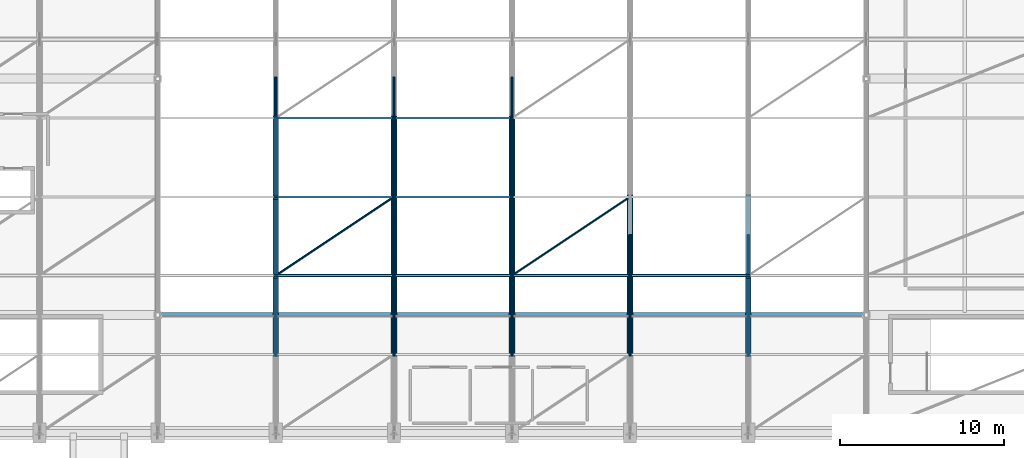
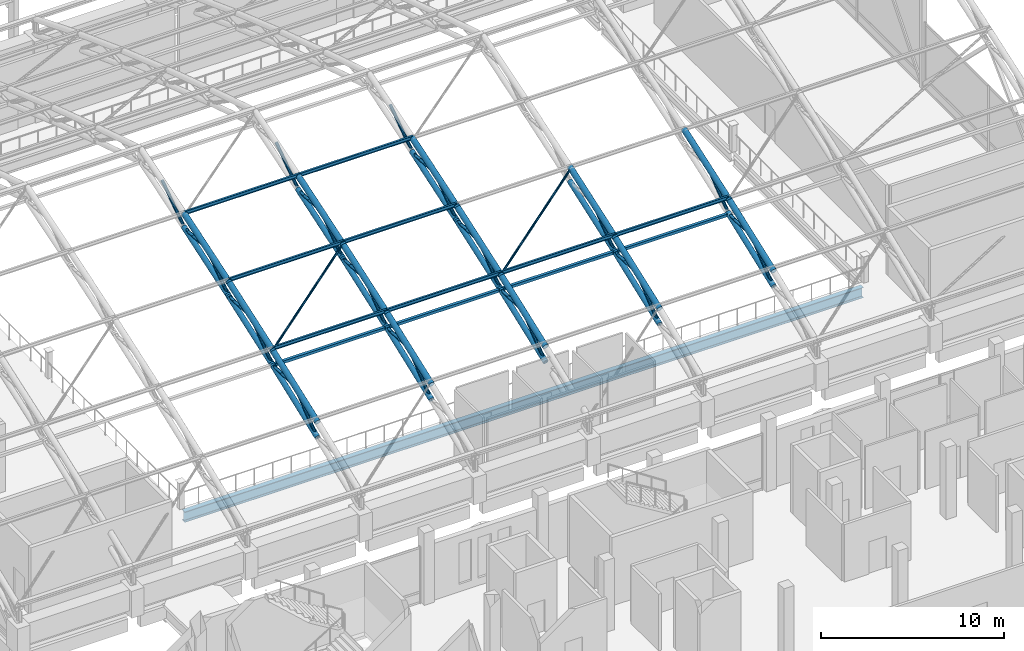
# One storey, part 36 of 116: 66 members, 1 beam.
"""IFC4 building model written with IfcOpenShell, lengths in metres."""

from ifc_helpers import new_model, si_unit, direction, frame, origin, origin_2d, place, context, subcontext, project, spatial, hollow_rectangle, hollow_circle, i_section, extrude, material, material_profile, profile_set, type_object, element, save


model = new_model("IFC4")

# Units and contexts
model_context = context("Model", 3, precision=1e-05, world=origin(), true_north=direction((0.0, 1.0)))
body_context = subcontext(model_context, "Body", "Model", "MODEL_VIEW")
ifc_project = project(units=[si_unit("LENGTHUNIT", "METRE"), si_unit("AREAUNIT", "SQUARE_METRE"), si_unit("VOLUMEUNIT", "CUBIC_METRE"), si_unit("PLANEANGLEUNIT", "RADIAN"), si_unit("MASSUNIT", "GRAM", prefix="KILO")], contexts=[model_context])

# Site, building, storey
site_placement = place(None, origin())
site = spatial("IfcSite", under=ifc_project, at=site_placement, CompositionType="ELEMENT")
building_placement = place(site_placement, origin())
building = spatial("IfcBuilding", under=site, at=building_placement, Name="Cendralis Lancet Convention Centre", CompositionType="ELEMENT")
storey_placement = place(building_placement, frame((0.0, 0.0, 15.0)))
storey = spatial("IfcBuildingStorey", under=building, at=storey_placement, Name="L03", CompositionType="ELEMENT", Elevation=15.0)

# Beam
ifc_material = material(Name="Steel S355", Category="steel")
ifc_material_profile_1 = material_profile(ifc_material, i_section(OverallWidth=0.300048828125, OverallDepth=0.699951171875, WebThickness=0.01708984375, FlangeThickness=0.031982421875, FilletRadius=0.027099609375, at=origin_2d()), Name="HEB 700")
ifc_profile_set_1 = profile_set([ifc_material_profile_1], Name="Steel S355")
beam_type = type_object("IfcBeamType", Name="STR-BM-SG07", PredefinedType="BEAM", material=ifc_profile_set_1)
beam_placement = place(storey_placement, frame((153.77490234375, 50.39990234375, -0.610107421875), z_axis=(1.0, 0.0, 0.0), x_axis=(0.0, 1.0, 0.0)))
element("IfcBeam", 1, at=beam_placement, inside=storey, type_object=beam_type, Name="L03 Beam SG07 #1523", PredefinedType="BEAM", context=body_context, shape_type="SweptSolid", body=[
    extrude(i_section(OverallWidth=0.300048828125, OverallDepth=0.699951171875, WebThickness=0.01708984375, FlangeThickness=0.031982421875, FilletRadius=0.027099609375, at=origin_2d()), origin(), (0.0, 0.0, 1.0), 42.85009765625),
])

# Members
ifc_material_profile_2 = material_profile(ifc_material, hollow_circle(Radius=0.06982421875, WallThickness=0.00634765625, at=origin_2d()), Name="CHS 139.7x6.3")
ifc_profile_set_2 = profile_set([ifc_material_profile_2], Name="Steel S355")
member_type_1 = type_object("IfcMemberType", Name="STR-BR-RB02", PredefinedType="BRACE", material=ifc_profile_set_2)
for number, where, z_axis, x_axis, name in (
    (2, (160.800048828125, 52.800048828125, 6.538818359375), (0.817079386858, 0.544728826592, 0.188816792291), (-0.554706707029, 0.832045953765, 0.0), "Roof Diaphragm Brace RB02 V2-03-02A"),
    (3, (175.199951171875, 52.800048828125, 6.538818359375), (0.817079386858, 0.544728826592, 0.188816792291), (-0.554706707029, 0.832045953765, 0.0), "Roof Diaphragm Brace RB02 V2-05-02A"),
):
    element("IfcMember", number, at=place(storey_placement, frame(where, z_axis=z_axis, x_axis=x_axis)), inside=storey, type_object=member_type_1, Name=name, PredefinedType="BRACE", context=body_context, shape_type="SweptSolid", body=[
        extrude(hollow_circle(Radius=0.06982421875, WallThickness=0.00634765625, at=origin_2d()), origin(), (0.0, 0.0, 1.0), 8.811767578125),
    ])
ifc_material_profile_3 = material_profile(ifc_material, hollow_rectangle(XDim=0.179931640625, YDim=0.179931640625, WallThickness=0.010009765625, at=origin_2d()), Name="SHS 180x180x10.0")
ifc_profile_set_3 = profile_set([ifc_material_profile_3], Name="Steel S355")
member_type_2 = type_object("IfcMemberType", Name="STR-BR-ST02", PredefinedType="STRUT", material=ifc_profile_set_3)
for number, where, z_axis, x_axis, name in (
    (4, (160.800048828125, 52.800048828125, 5.555908203125), (1.0, 0.0, 0.0), (0.0, 1.0, 0.0), "Arch Tie Strut ST02 V2-03-02"),
    (5, (168.0, 52.800048828125, 5.555908203125), (1.0, 0.0, 0.0), (0.0, 1.0, 0.0), "Arch Tie Strut ST02 V2-04-02"),
    (6, (175.199951171875, 52.800048828125, 5.555908203125), (1.0, 0.0, 0.0), (0.0, 1.0, 0.0), "Arch Tie Strut ST02 V2-05-02"),
):
    element("IfcMember", number, at=place(storey_placement, frame(where, z_axis=z_axis, x_axis=x_axis)), inside=storey, type_object=member_type_2, Name=name, PredefinedType="STRUT", context=body_context, shape_type="SweptSolid", body=[
        extrude(hollow_rectangle(XDim=0.179931640625, YDim=0.179931640625, WallThickness=0.010009765625, at=origin_2d()), origin(), (0.0, 0.0, 1.0), 7.199951171875),
    ])
member_1_placement = place(storey_placement, frame((182.39990234375, 52.800048828125, 5.555908203125), z_axis=(1.0, 0.0, 0.0), x_axis=(0.0, 1.0, 0.0)))
element("IfcMember", 7, at=member_1_placement, inside=storey, type_object=member_type_2, Name="Arch Tie Strut ST02 V2-06-02", PredefinedType="STRUT", context=body_context, shape_type="SweptSolid", body=[
    extrude(hollow_rectangle(XDim=0.179931640625, YDim=0.179931640625, WallThickness=0.010009765625, at=origin_2d()), origin(), (0.0, 0.0, 1.0), 7.2001953125),
])
ifc_material_profile_4 = material_profile(ifc_material, i_section(OverallWidth=0.1201171875, OverallDepth=0.239990234375, WebThickness=0.006103515625, FlangeThickness=0.009765625, FilletRadius=0.014892578125, at=origin_2d()), Name="IPE 240")
ifc_profile_set_4 = profile_set([ifc_material_profile_4], Name="Steel S355")
member_type_3 = type_object("IfcMemberType", Name="STR-PR-PR02", PredefinedType="PURLIN", material=ifc_profile_set_4)
for number, where, z_axis, x_axis, name in (
    (8, (160.800048828125, 52.800048828125, 6.668701171875), (1.0, 0.0, 0.0), (0.0, 1.0, 0.0), "Vault Roof Purlin PR02 V2-03-02"),
    (9, (160.800048828125, 57.60009765625, 8.332763671875), (1.0, 0.0, 0.0), (0.0, 1.0, 0.0), "Vault Roof Purlin PR02 V2-03-03"),
    (10, (160.800048828125, 62.39990234375, 9.896484375), (1.0, 0.0, 0.0), (0.0, 1.0, 0.0), "Vault Roof Purlin PR02 V2-03-04"),
    (11, (168.0, 52.800048828125, 6.668701171875), (1.0, 0.0, 0.0), (0.0, 1.0, 0.0), "Vault Roof Purlin PR02 V2-04-02"),
    (12, (168.0, 57.60009765625, 8.332763671875), (1.0, 0.0, 0.0), (0.0, 1.0, 0.0), "Vault Roof Purlin PR02 V2-04-03"),
    (13, (168.0, 62.39990234375, 9.896484375), (1.0, 0.0, 0.0), (0.0, 1.0, 0.0), "Vault Roof Purlin PR02 V2-04-04"),
    (14, (175.199951171875, 52.800048828125, 6.668701171875), (1.0, 0.0, 0.0), (0.0, 1.0, 0.0), "Vault Roof Purlin PR02 V2-05-02"),
):
    element("IfcMember", number, at=place(storey_placement, frame(where, z_axis=z_axis, x_axis=x_axis)), inside=storey, type_object=member_type_3, Name=name, PredefinedType="PURLIN", context=body_context, shape_type="SweptSolid", body=[
        extrude(i_section(OverallWidth=0.1201171875, OverallDepth=0.239990234375, WebThickness=0.006103515625, FlangeThickness=0.009765625, FilletRadius=0.014892578125, at=origin_2d()), origin(), (0.0, 0.0, 1.0), 7.199951171875),
    ])
member_2_placement = place(storey_placement, frame((182.39990234375, 52.800048828125, 6.668701171875), z_axis=(1.0, 0.0, 0.0), x_axis=(0.0, 1.0, 0.0)))
element("IfcMember", 15, at=member_2_placement, inside=storey, type_object=member_type_3, Name="Vault Roof Purlin PR02 V2-06-02", PredefinedType="PURLIN", context=body_context, shape_type="SweptSolid", body=[
    extrude(i_section(OverallWidth=0.1201171875, OverallDepth=0.239990234375, WebThickness=0.006103515625, FlangeThickness=0.009765625, FilletRadius=0.014892578125, at=origin_2d()), origin(), (0.0, 0.0, 1.0), 7.2001953125),
])
ifc_material_profile_5 = material_profile(ifc_material, hollow_circle(Radius=0.161865234375, WallThickness=0.01416015625, at=origin_2d()), Name="CHS 323.9x14.2")
ifc_profile_set_5 = profile_set([ifc_material_profile_5], Name="Steel S355")
member_type_4 = type_object("IfcMemberType", Name="STR-TR-BC02-INT", PredefinedType="CHORD", material=ifc_profile_set_5)
member_3_placement = place(storey_placement, frame((160.800048828125, 47.8876953125, 3.695556640625), z_axis=(0.0, 0.935181338514, 0.354169259105), x_axis=(-1.0, 0.0, 0.0)))
element("IfcMember", 16, at=member_3_placement, inside=storey, type_object=member_type_4, Name="ROOF TRUSS AT-V2-04 Bottom Chord 01", PredefinedType="CHORD", context=body_context, shape_type="SweptSolid", body=[
    extrude(hollow_circle(Radius=0.161865234375, WallThickness=0.01416015625, at=origin_2d()), origin(), (0.0, 0.0, 1.0), 5.37255859375),
])
member_4_placement = place(storey_placement, frame((160.800048828125, 52.68701171875, 5.51611328125), z_axis=(0.0, 0.942788943503, 0.333390173833), x_axis=(-1.0, 0.0, 0.0)))
element("IfcMember", 17, at=member_4_placement, inside=storey, type_object=member_type_4, Name="ROOF TRUSS AT-V2-04 Bottom Chord 02", PredefinedType="CHORD", context=body_context, shape_type="SweptSolid", body=[
    extrude(hollow_circle(Radius=0.161865234375, WallThickness=0.01416015625, at=origin_2d()), origin(), (0.0, 0.0, 1.0), 5.3310546875),
])
member_5_placement = place(storey_placement, frame((160.800048828125, 57.486083984375, 7.215576171875), z_axis=(0.0, 0.948830629051, 0.315785429325), x_axis=(-1.0, 0.0, 0.0)))
element("IfcMember", 18, at=member_5_placement, inside=storey, type_object=member_type_4, Name="ROOF TRUSS AT-V2-04 Bottom Chord 03", PredefinedType="CHORD", context=body_context, shape_type="SweptSolid", body=[
    extrude(hollow_circle(Radius=0.161865234375, WallThickness=0.01416015625, at=origin_2d()), origin(), (0.0, 0.0, 1.0), 5.299072265625),
])
member_6_placement = place(storey_placement, frame((168.0, 47.8876953125, 3.695556640625), z_axis=(0.0, 0.935181338514, 0.354169259105), x_axis=(-1.0, 0.0, 0.0)))
element("IfcMember", 19, at=member_6_placement, inside=storey, type_object=member_type_4, Name="ROOF TRUSS AT-V2-05 Bottom Chord 01", PredefinedType="CHORD", context=body_context, shape_type="SweptSolid", body=[
    extrude(hollow_circle(Radius=0.161865234375, WallThickness=0.01416015625, at=origin_2d()), origin(), (0.0, 0.0, 1.0), 5.37255859375),
])
member_7_placement = place(storey_placement, frame((168.0, 52.68701171875, 5.51611328125), z_axis=(0.0, 0.942788943503, 0.333390173833), x_axis=(-1.0, 0.0, 0.0)))
element("IfcMember", 20, at=member_7_placement, inside=storey, type_object=member_type_4, Name="ROOF TRUSS AT-V2-05 Bottom Chord 02", PredefinedType="CHORD", context=body_context, shape_type="SweptSolid", body=[
    extrude(hollow_circle(Radius=0.161865234375, WallThickness=0.01416015625, at=origin_2d()), origin(), (0.0, 0.0, 1.0), 5.3310546875),
])
member_8_placement = place(storey_placement, frame((168.0, 57.486083984375, 7.215576171875), z_axis=(0.0, 0.948830629051, 0.315785429325), x_axis=(-1.0, 0.0, 0.0)))
element("IfcMember", 21, at=member_8_placement, inside=storey, type_object=member_type_4, Name="ROOF TRUSS AT-V2-05 Bottom Chord 03", PredefinedType="CHORD", context=body_context, shape_type="SweptSolid", body=[
    extrude(hollow_circle(Radius=0.161865234375, WallThickness=0.01416015625, at=origin_2d()), origin(), (0.0, 0.0, 1.0), 5.299072265625),
])
member_9_placement = place(storey_placement, frame((175.199951171875, 47.8876953125, 3.695556640625), z_axis=(0.0, 0.935181338514, 0.354169259105), x_axis=(-1.0, 0.0, 0.0)))
element("IfcMember", 22, at=member_9_placement, inside=storey, type_object=member_type_4, Name="ROOF TRUSS AT-V2-06 Bottom Chord 01", PredefinedType="CHORD", context=body_context, shape_type="SweptSolid", body=[
    extrude(hollow_circle(Radius=0.161865234375, WallThickness=0.01416015625, at=origin_2d()), origin(), (0.0, 0.0, 1.0), 5.37255859375),
])
member_10_placement = place(storey_placement, frame((175.199951171875, 52.68701171875, 5.51611328125), z_axis=(0.0, 0.942788943503, 0.333390173833), x_axis=(-1.0, 0.0, 0.0)))
element("IfcMember", 23, at=member_10_placement, inside=storey, type_object=member_type_4, Name="ROOF TRUSS AT-V2-06 Bottom Chord 02", PredefinedType="CHORD", context=body_context, shape_type="SweptSolid", body=[
    extrude(hollow_circle(Radius=0.161865234375, WallThickness=0.01416015625, at=origin_2d()), origin(), (0.0, 0.0, 1.0), 5.3310546875),
])
member_11_placement = place(storey_placement, frame((175.199951171875, 57.486083984375, 7.215576171875), z_axis=(0.0, 0.948830629051, 0.315785429325), x_axis=(-1.0, 0.0, 0.0)))
element("IfcMember", 24, at=member_11_placement, inside=storey, type_object=member_type_4, Name="ROOF TRUSS AT-V2-06 Bottom Chord 03", PredefinedType="CHORD", context=body_context, shape_type="SweptSolid", body=[
    extrude(hollow_circle(Radius=0.161865234375, WallThickness=0.01416015625, at=origin_2d()), origin(), (0.0, 0.0, 1.0), 5.299072265625),
])
member_12_placement = place(storey_placement, frame((182.39990234375, 47.8876953125, 3.695556640625), z_axis=(0.0, 0.935181338514, 0.354169259105), x_axis=(-1.0, 0.0, 0.0)))
element("IfcMember", 25, at=member_12_placement, inside=storey, type_object=member_type_4, Name="ROOF TRUSS AT-V2-07 Bottom Chord 01", PredefinedType="CHORD", context=body_context, shape_type="SweptSolid", body=[
    extrude(hollow_circle(Radius=0.161865234375, WallThickness=0.01416015625, at=origin_2d()), origin(), (0.0, 0.0, 1.0), 5.37255859375),
])
member_13_placement = place(storey_placement, frame((182.39990234375, 52.68701171875, 5.51611328125), z_axis=(0.0, 0.942788943503, 0.333390173833), x_axis=(-1.0, 0.0, 0.0)))
element("IfcMember", 26, at=member_13_placement, inside=storey, type_object=member_type_4, Name="ROOF TRUSS AT-V2-07 Bottom Chord 02", PredefinedType="CHORD", context=body_context, shape_type="SweptSolid", body=[
    extrude(hollow_circle(Radius=0.161865234375, WallThickness=0.01416015625, at=origin_2d()), origin(), (0.0, 0.0, 1.0), 5.3310546875),
])
member_14_placement = place(storey_placement, frame((189.60009765625, 47.8876953125, 3.695556640625), z_axis=(0.0, 0.935181338514, 0.354169259105), x_axis=(-1.0, 0.0, 0.0)))
element("IfcMember", 27, at=member_14_placement, inside=storey, type_object=member_type_4, Name="ROOF TRUSS AT-V2-08 Bottom Chord 01", PredefinedType="CHORD", context=body_context, shape_type="SweptSolid", body=[
    extrude(hollow_circle(Radius=0.161865234375, WallThickness=0.01416015625, at=origin_2d()), origin(), (0.0, 0.0, 1.0), 5.37255859375),
])
ifc_material_profile_6 = material_profile(ifc_material, hollow_circle(Radius=0.177734375, WallThickness=0.01611328125, at=origin_2d()), Name="CHS 355.6x16.0")
ifc_profile_set_6 = profile_set([ifc_material_profile_6], Name="Steel S355")
member_type_5 = type_object("IfcMemberType", Name="STR-TR-TC02-INT", PredefinedType="CHORD", material=ifc_profile_set_6)
member_15_placement = place(storey_placement, frame((160.800048828125, 47.887451171875, 4.712646484375), z_axis=(0.0, 0.937337757089, 0.348422056041), x_axis=(-1.0, 0.0, 0.0)))
element("IfcMember", 28, at=member_15_placement, inside=storey, type_object=member_type_5, Name="ROOF TRUSS AT-V2-04 Top Chord 01", PredefinedType="CHORD", context=body_context, shape_type="SweptSolid", body=[
    extrude(hollow_circle(Radius=0.177734375, WallThickness=0.01611328125, at=origin_2d()), origin(), (0.0, 0.0, 1.0), 5.361083984375),
])
member_16_placement = place(storey_placement, frame((160.800048828125, 52.6865234375, 6.49951171875), z_axis=(0.0, 0.944848505706, 0.327507711764), x_axis=(-1.0, 0.0, 0.0)))
element("IfcMember", 29, at=member_16_placement, inside=storey, type_object=member_type_5, Name="ROOF TRUSS AT-V2-04 Top Chord 02", PredefinedType="CHORD", context=body_context, shape_type="SweptSolid", body=[
    extrude(hollow_circle(Radius=0.177734375, WallThickness=0.01611328125, at=origin_2d()), origin(), (0.0, 0.0, 1.0), 5.3203125),
])
member_17_placement = place(storey_placement, frame((160.800048828125, 57.48583984375, 8.16552734375), z_axis=(0.0, 0.950812630265, 0.309766592983), x_axis=(-1.0, 0.0, 0.0)))
element("IfcMember", 30, at=member_17_placement, inside=storey, type_object=member_type_5, Name="ROOF TRUSS AT-V2-04 Top Chord 03", PredefinedType="CHORD", context=body_context, shape_type="SweptSolid", body=[
    extrude(hollow_circle(Radius=0.177734375, WallThickness=0.01611328125, at=origin_2d()), origin(), (0.0, 0.0, 1.0), 5.288330078125),
])
member_18_placement = place(storey_placement, frame((168.0, 47.887451171875, 4.712646484375), z_axis=(0.0, 0.937337757089, 0.348422056041), x_axis=(-1.0, 0.0, 0.0)))
element("IfcMember", 31, at=member_18_placement, inside=storey, type_object=member_type_5, Name="ROOF TRUSS AT-V2-05 Top Chord 01", PredefinedType="CHORD", context=body_context, shape_type="SweptSolid", body=[
    extrude(hollow_circle(Radius=0.177734375, WallThickness=0.01611328125, at=origin_2d()), origin(), (0.0, 0.0, 1.0), 5.361083984375),
])
member_19_placement = place(storey_placement, frame((168.0, 52.6865234375, 6.49951171875), z_axis=(0.0, 0.944848505706, 0.327507711764), x_axis=(-1.0, 0.0, 0.0)))
element("IfcMember", 32, at=member_19_placement, inside=storey, type_object=member_type_5, Name="ROOF TRUSS AT-V2-05 Top Chord 02", PredefinedType="CHORD", context=body_context, shape_type="SweptSolid", body=[
    extrude(hollow_circle(Radius=0.177734375, WallThickness=0.01611328125, at=origin_2d()), origin(), (0.0, 0.0, 1.0), 5.3203125),
])
member_20_placement = place(storey_placement, frame((168.0, 57.48583984375, 8.16552734375), z_axis=(0.0, 0.950812630265, 0.309766592983), x_axis=(-1.0, 0.0, 0.0)))
element("IfcMember", 33, at=member_20_placement, inside=storey, type_object=member_type_5, Name="ROOF TRUSS AT-V2-05 Top Chord 03", PredefinedType="CHORD", context=body_context, shape_type="SweptSolid", body=[
    extrude(hollow_circle(Radius=0.177734375, WallThickness=0.01611328125, at=origin_2d()), origin(), (0.0, 0.0, 1.0), 5.288330078125),
])
member_21_placement = place(storey_placement, frame((175.199951171875, 47.887451171875, 4.712646484375), z_axis=(0.0, 0.937337757089, 0.348422056041), x_axis=(-1.0, 0.0, 0.0)))
element("IfcMember", 34, at=member_21_placement, inside=storey, type_object=member_type_5, Name="ROOF TRUSS AT-V2-06 Top Chord 01", PredefinedType="CHORD", context=body_context, shape_type="SweptSolid", body=[
    extrude(hollow_circle(Radius=0.177734375, WallThickness=0.01611328125, at=origin_2d()), origin(), (0.0, 0.0, 1.0), 5.361083984375),
])
member_22_placement = place(storey_placement, frame((175.199951171875, 52.6865234375, 6.49951171875), z_axis=(0.0, 0.944848505706, 0.327507711764), x_axis=(-1.0, 0.0, 0.0)))
element("IfcMember", 35, at=member_22_placement, inside=storey, type_object=member_type_5, Name="ROOF TRUSS AT-V2-06 Top Chord 02", PredefinedType="CHORD", context=body_context, shape_type="SweptSolid", body=[
    extrude(hollow_circle(Radius=0.177734375, WallThickness=0.01611328125, at=origin_2d()), origin(), (0.0, 0.0, 1.0), 5.3203125),
])
member_23_placement = place(storey_placement, frame((175.199951171875, 57.48583984375, 8.16552734375), z_axis=(0.0, 0.950812630265, 0.309766592983), x_axis=(-1.0, 0.0, 0.0)))
element("IfcMember", 36, at=member_23_placement, inside=storey, type_object=member_type_5, Name="ROOF TRUSS AT-V2-06 Top Chord 03", PredefinedType="CHORD", context=body_context, shape_type="SweptSolid", body=[
    extrude(hollow_circle(Radius=0.177734375, WallThickness=0.01611328125, at=origin_2d()), origin(), (0.0, 0.0, 1.0), 5.288330078125),
])
member_24_placement = place(storey_placement, frame((182.39990234375, 47.887451171875, 4.712646484375), z_axis=(0.0, 0.937337757089, 0.348422056041), x_axis=(-1.0, 0.0, 0.0)))
element("IfcMember", 37, at=member_24_placement, inside=storey, type_object=member_type_5, Name="ROOF TRUSS AT-V2-07 Top Chord 01", PredefinedType="CHORD", context=body_context, shape_type="SweptSolid", body=[
    extrude(hollow_circle(Radius=0.177734375, WallThickness=0.01611328125, at=origin_2d()), origin(), (0.0, 0.0, 1.0), 5.361083984375),
])
member_25_placement = place(storey_placement, frame((182.39990234375, 52.6865234375, 6.49951171875), z_axis=(0.0, 0.944848505706, 0.327507711764), x_axis=(-1.0, 0.0, 0.0)))
element("IfcMember", 38, at=member_25_placement, inside=storey, type_object=member_type_5, Name="ROOF TRUSS AT-V2-07 Top Chord 02", PredefinedType="CHORD", context=body_context, shape_type="SweptSolid", body=[
    extrude(hollow_circle(Radius=0.177734375, WallThickness=0.01611328125, at=origin_2d()), origin(), (0.0, 0.0, 1.0), 5.3203125),
])
member_26_placement = place(storey_placement, frame((189.60009765625, 47.887451171875, 4.712646484375), z_axis=(0.0, 0.937337757089, 0.348422056041), x_axis=(-1.0, 0.0, 0.0)))
element("IfcMember", 39, at=member_26_placement, inside=storey, type_object=member_type_5, Name="ROOF TRUSS AT-V2-08 Top Chord 01", PredefinedType="CHORD", context=body_context, shape_type="SweptSolid", body=[
    extrude(hollow_circle(Radius=0.177734375, WallThickness=0.01611328125, at=origin_2d()), origin(), (0.0, 0.0, 1.0), 5.361083984375),
])
member_27_placement = place(storey_placement, frame((189.60009765625, 52.6865234375, 6.49951171875), z_axis=(0.0, 0.944848505706, 0.327507711764), x_axis=(-1.0, 0.0, 0.0)))
element("IfcMember", 40, at=member_27_placement, inside=storey, type_object=member_type_5, Name="ROOF TRUSS AT-V2-08 Top Chord 02", PredefinedType="CHORD", context=body_context, shape_type="SweptSolid", body=[
    extrude(hollow_circle(Radius=0.177734375, WallThickness=0.01611328125, at=origin_2d()), origin(), (0.0, 0.0, 1.0), 5.3203125),
])
ifc_material_profile_7 = material_profile(ifc_material, hollow_circle(Radius=0.096923828125, WallThickness=0.008056640625, at=origin_2d()), Name="CHS 193.7x8.0")
ifc_profile_set_7 = profile_set([ifc_material_profile_7], Name="Steel S355")
member_type_6 = type_object("IfcMemberType", Name="STR-TR-WD02-INT", PredefinedType="BRACE", material=ifc_profile_set_7)
member_28_placement = place(storey_placement, frame((160.800048828125, 47.921630859375, 3.67578125), z_axis=(0.0, 0.782673873306, 0.62243201078), x_axis=(-1.0, 0.0, 0.0)))
element("IfcMember", 41, at=member_28_placement, inside=storey, type_object=member_type_6, Name="ROOF TRUSS AT-V2-04 Warren Web 01-0", PredefinedType="BRACE", context=body_context, shape_type="SweptSolid", body=[
    extrude(hollow_circle(Radius=0.096923828125, WallThickness=0.008056640625, at=origin_2d()), origin(), (0.0, 0.0, 1.0), 3.2666015625),
])
member_29_placement = place(storey_placement, frame((160.800048828125, 50.300048828125, 5.650390625), z_axis=(0.0, 0.999288228514, -0.037723154086), x_axis=(-1.0, 0.0, 0.0)))
element("IfcMember", 42, at=member_29_placement, inside=storey, type_object=member_type_6, Name="ROOF TRUSS AT-V2-04 Warren Web 01-1", PredefinedType="BRACE", context=body_context, shape_type="SweptSolid", body=[
    extrude(hollow_circle(Radius=0.096923828125, WallThickness=0.008056640625, at=origin_2d()), origin(), (0.0, 0.0, 1.0), 2.601806640625),
])
member_30_placement = place(storey_placement, frame((160.800048828125, 52.72021484375, 5.49560546875), z_axis=(0.0, 0.797620051478, 0.603160222064), x_axis=(-1.0, 0.0, 0.0)))
element("IfcMember", 43, at=member_30_placement, inside=storey, type_object=member_type_6, Name="ROOF TRUSS AT-V2-04 Warren Web 02-0", PredefinedType="BRACE", context=body_context, shape_type="SweptSolid", body=[
    extrude(hollow_circle(Radius=0.096923828125, WallThickness=0.008056640625, at=origin_2d()), origin(), (0.0, 0.0, 1.0), 3.208984375),
])
member_31_placement = place(storey_placement, frame((160.800048828125, 55.10009765625, 7.375732421875), z_axis=(0.0, 0.998805327149, -0.048866332561), x_axis=(-1.0, 0.0, 0.0)))
element("IfcMember", 44, at=member_31_placement, inside=storey, type_object=member_type_6, Name="ROOF TRUSS AT-V2-04 Warren Web 02-1", PredefinedType="BRACE", context=body_context, shape_type="SweptSolid", body=[
    extrude(hollow_circle(Radius=0.096923828125, WallThickness=0.008056640625, at=origin_2d()), origin(), (0.0, 0.0, 1.0), 2.60302734375),
])
member_32_placement = place(storey_placement, frame((160.800048828125, 57.518798828125, 7.195068359375), z_axis=(0.0, 0.811035686786, 0.584996679273), x_axis=(-1.0, 0.0, 0.0)))
element("IfcMember", 45, at=member_32_placement, inside=storey, type_object=member_type_6, Name="ROOF TRUSS AT-V2-04 Warren Web 03-0", PredefinedType="BRACE", context=body_context, shape_type="SweptSolid", body=[
    extrude(hollow_circle(Radius=0.096923828125, WallThickness=0.008056640625, at=origin_2d()), origin(), (0.0, 0.0, 1.0), 3.1591796875),
])
member_33_placement = place(storey_placement, frame((160.800048828125, 59.900146484375, 8.990234375), z_axis=(0.0, 0.998447632237, -0.055698524939), x_axis=(-1.0, 0.0, 0.0)))
element("IfcMember", 46, at=member_33_placement, inside=storey, type_object=member_type_6, Name="ROOF TRUSS AT-V2-04 Warren Web 03-1", PredefinedType="BRACE", context=body_context, shape_type="SweptSolid", body=[
    extrude(hollow_circle(Radius=0.096923828125, WallThickness=0.008056640625, at=origin_2d()), origin(), (0.0, 0.0, 1.0), 2.603759765625),
])
member_34_placement = place(storey_placement, frame((160.800048828125, 62.317626953125, 8.794189453125), z_axis=(0.0, 0.822876843509, 0.56821976419), x_axis=(-1.0, 0.0, 0.0)))
element("IfcMember", 47, at=member_34_placement, inside=storey, type_object=member_type_6, Name="ROOF TRUSS AT-V2-04 Warren Web 04-0", PredefinedType="BRACE", context=body_context, shape_type="SweptSolid", body=[
    extrude(hollow_circle(Radius=0.096923828125, WallThickness=0.008056640625, at=origin_2d()), origin(), (0.0, 0.0, 1.0), 3.11669921875),
])
member_35_placement = place(storey_placement, frame((168.0, 47.921630859375, 3.67578125), z_axis=(0.0, 0.782673873306, 0.62243201078), x_axis=(-1.0, 0.0, 0.0)))
element("IfcMember", 48, at=member_35_placement, inside=storey, type_object=member_type_6, Name="ROOF TRUSS AT-V2-05 Warren Web 01-0", PredefinedType="BRACE", context=body_context, shape_type="SweptSolid", body=[
    extrude(hollow_circle(Radius=0.096923828125, WallThickness=0.008056640625, at=origin_2d()), origin(), (0.0, 0.0, 1.0), 3.2666015625),
])
member_36_placement = place(storey_placement, frame((168.0, 50.300048828125, 5.650390625), z_axis=(0.0, 0.999288228514, -0.037723154086), x_axis=(-1.0, 0.0, 0.0)))
element("IfcMember", 49, at=member_36_placement, inside=storey, type_object=member_type_6, Name="ROOF TRUSS AT-V2-05 Warren Web 01-1", PredefinedType="BRACE", context=body_context, shape_type="SweptSolid", body=[
    extrude(hollow_circle(Radius=0.096923828125, WallThickness=0.008056640625, at=origin_2d()), origin(), (0.0, 0.0, 1.0), 2.601806640625),
])
member_37_placement = place(storey_placement, frame((168.0, 52.72021484375, 5.49560546875), z_axis=(0.0, 0.797620051478, 0.603160222064), x_axis=(-1.0, 0.0, 0.0)))
element("IfcMember", 50, at=member_37_placement, inside=storey, type_object=member_type_6, Name="ROOF TRUSS AT-V2-05 Warren Web 02-0", PredefinedType="BRACE", context=body_context, shape_type="SweptSolid", body=[
    extrude(hollow_circle(Radius=0.096923828125, WallThickness=0.008056640625, at=origin_2d()), origin(), (0.0, 0.0, 1.0), 3.208984375),
])
member_38_placement = place(storey_placement, frame((168.0, 55.10009765625, 7.375732421875), z_axis=(0.0, 0.998805327149, -0.048866332561), x_axis=(-1.0, 0.0, 0.0)))
element("IfcMember", 51, at=member_38_placement, inside=storey, type_object=member_type_6, Name="ROOF TRUSS AT-V2-05 Warren Web 02-1", PredefinedType="BRACE", context=body_context, shape_type="SweptSolid", body=[
    extrude(hollow_circle(Radius=0.096923828125, WallThickness=0.008056640625, at=origin_2d()), origin(), (0.0, 0.0, 1.0), 2.60302734375),
])
member_39_placement = place(storey_placement, frame((168.0, 57.518798828125, 7.195068359375), z_axis=(0.0, 0.811035686786, 0.584996679273), x_axis=(-1.0, 0.0, 0.0)))
element("IfcMember", 52, at=member_39_placement, inside=storey, type_object=member_type_6, Name="ROOF TRUSS AT-V2-05 Warren Web 03-0", PredefinedType="BRACE", context=body_context, shape_type="SweptSolid", body=[
    extrude(hollow_circle(Radius=0.096923828125, WallThickness=0.008056640625, at=origin_2d()), origin(), (0.0, 0.0, 1.0), 3.1591796875),
])
member_40_placement = place(storey_placement, frame((168.0, 59.900146484375, 8.990234375), z_axis=(0.0, 0.998447632237, -0.055698524939), x_axis=(-1.0, 0.0, 0.0)))
element("IfcMember", 53, at=member_40_placement, inside=storey, type_object=member_type_6, Name="ROOF TRUSS AT-V2-05 Warren Web 03-1", PredefinedType="BRACE", context=body_context, shape_type="SweptSolid", body=[
    extrude(hollow_circle(Radius=0.096923828125, WallThickness=0.008056640625, at=origin_2d()), origin(), (0.0, 0.0, 1.0), 2.603759765625),
])
member_41_placement = place(storey_placement, frame((168.0, 62.317626953125, 8.794189453125), z_axis=(0.0, 0.822876843509, 0.56821976419), x_axis=(-1.0, 0.0, 0.0)))
element("IfcMember", 54, at=member_41_placement, inside=storey, type_object=member_type_6, Name="ROOF TRUSS AT-V2-05 Warren Web 04-0", PredefinedType="BRACE", context=body_context, shape_type="SweptSolid", body=[
    extrude(hollow_circle(Radius=0.096923828125, WallThickness=0.008056640625, at=origin_2d()), origin(), (0.0, 0.0, 1.0), 3.11669921875),
])
member_42_placement = place(storey_placement, frame((175.199951171875, 47.921630859375, 3.67578125), z_axis=(0.0, 0.782673873306, 0.62243201078), x_axis=(-1.0, 0.0, 0.0)))
element("IfcMember", 55, at=member_42_placement, inside=storey, type_object=member_type_6, Name="ROOF TRUSS AT-V2-06 Warren Web 01-0", PredefinedType="BRACE", context=body_context, shape_type="SweptSolid", body=[
    extrude(hollow_circle(Radius=0.096923828125, WallThickness=0.008056640625, at=origin_2d()), origin(), (0.0, 0.0, 1.0), 3.2666015625),
])
member_43_placement = place(storey_placement, frame((175.199951171875, 50.300048828125, 5.650390625), z_axis=(0.0, 0.999288228514, -0.037723154086), x_axis=(-1.0, 0.0, 0.0)))
element("IfcMember", 56, at=member_43_placement, inside=storey, type_object=member_type_6, Name="ROOF TRUSS AT-V2-06 Warren Web 01-1", PredefinedType="BRACE", context=body_context, shape_type="SweptSolid", body=[
    extrude(hollow_circle(Radius=0.096923828125, WallThickness=0.008056640625, at=origin_2d()), origin(), (0.0, 0.0, 1.0), 2.601806640625),
])
member_44_placement = place(storey_placement, frame((175.199951171875, 52.72021484375, 5.49560546875), z_axis=(0.0, 0.797620051478, 0.603160222064), x_axis=(-1.0, 0.0, 0.0)))
element("IfcMember", 57, at=member_44_placement, inside=storey, type_object=member_type_6, Name="ROOF TRUSS AT-V2-06 Warren Web 02-0", PredefinedType="BRACE", context=body_context, shape_type="SweptSolid", body=[
    extrude(hollow_circle(Radius=0.096923828125, WallThickness=0.008056640625, at=origin_2d()), origin(), (0.0, 0.0, 1.0), 3.208984375),
])
member_45_placement = place(storey_placement, frame((175.199951171875, 55.10009765625, 7.375732421875), z_axis=(0.0, 0.998805327149, -0.048866332561), x_axis=(-1.0, 0.0, 0.0)))
element("IfcMember", 58, at=member_45_placement, inside=storey, type_object=member_type_6, Name="ROOF TRUSS AT-V2-06 Warren Web 02-1", PredefinedType="BRACE", context=body_context, shape_type="SweptSolid", body=[
    extrude(hollow_circle(Radius=0.096923828125, WallThickness=0.008056640625, at=origin_2d()), origin(), (0.0, 0.0, 1.0), 2.60302734375),
])
member_46_placement = place(storey_placement, frame((175.199951171875, 57.518798828125, 7.195068359375), z_axis=(0.0, 0.811035686786, 0.584996679273), x_axis=(-1.0, 0.0, 0.0)))
element("IfcMember", 59, at=member_46_placement, inside=storey, type_object=member_type_6, Name="ROOF TRUSS AT-V2-06 Warren Web 03-0", PredefinedType="BRACE", context=body_context, shape_type="SweptSolid", body=[
    extrude(hollow_circle(Radius=0.096923828125, WallThickness=0.008056640625, at=origin_2d()), origin(), (0.0, 0.0, 1.0), 3.1591796875),
])
member_47_placement = place(storey_placement, frame((175.199951171875, 59.900146484375, 8.990234375), z_axis=(0.0, 0.998447632237, -0.055698524939), x_axis=(-1.0, 0.0, 0.0)))
element("IfcMember", 60, at=member_47_placement, inside=storey, type_object=member_type_6, Name="ROOF TRUSS AT-V2-06 Warren Web 03-1", PredefinedType="BRACE", context=body_context, shape_type="SweptSolid", body=[
    extrude(hollow_circle(Radius=0.096923828125, WallThickness=0.008056640625, at=origin_2d()), origin(), (0.0, 0.0, 1.0), 2.603759765625),
])
member_48_placement = place(storey_placement, frame((175.199951171875, 62.317626953125, 8.794189453125), z_axis=(0.0, 0.822876843509, 0.56821976419), x_axis=(-1.0, 0.0, 0.0)))
element("IfcMember", 61, at=member_48_placement, inside=storey, type_object=member_type_6, Name="ROOF TRUSS AT-V2-06 Warren Web 04-0", PredefinedType="BRACE", context=body_context, shape_type="SweptSolid", body=[
    extrude(hollow_circle(Radius=0.096923828125, WallThickness=0.008056640625, at=origin_2d()), origin(), (0.0, 0.0, 1.0), 3.11669921875),
])
member_49_placement = place(storey_placement, frame((182.39990234375, 47.921630859375, 3.67578125), z_axis=(0.0, 0.782673873306, 0.62243201078), x_axis=(-1.0, 0.0, 0.0)))
element("IfcMember", 62, at=member_49_placement, inside=storey, type_object=member_type_6, Name="ROOF TRUSS AT-V2-07 Warren Web 01-0", PredefinedType="BRACE", context=body_context, shape_type="SweptSolid", body=[
    extrude(hollow_circle(Radius=0.096923828125, WallThickness=0.008056640625, at=origin_2d()), origin(), (0.0, 0.0, 1.0), 3.2666015625),
])
member_50_placement = place(storey_placement, frame((182.39990234375, 50.300048828125, 5.650390625), z_axis=(0.0, 0.999288228514, -0.037723154086), x_axis=(-1.0, 0.0, 0.0)))
element("IfcMember", 63, at=member_50_placement, inside=storey, type_object=member_type_6, Name="ROOF TRUSS AT-V2-07 Warren Web 01-1", PredefinedType="BRACE", context=body_context, shape_type="SweptSolid", body=[
    extrude(hollow_circle(Radius=0.096923828125, WallThickness=0.008056640625, at=origin_2d()), origin(), (0.0, 0.0, 1.0), 2.601806640625),
])
member_51_placement = place(storey_placement, frame((182.39990234375, 52.72021484375, 5.49560546875), z_axis=(0.0, 0.797620051478, 0.603160222064), x_axis=(-1.0, 0.0, 0.0)))
element("IfcMember", 64, at=member_51_placement, inside=storey, type_object=member_type_6, Name="ROOF TRUSS AT-V2-07 Warren Web 02-0", PredefinedType="BRACE", context=body_context, shape_type="SweptSolid", body=[
    extrude(hollow_circle(Radius=0.096923828125, WallThickness=0.008056640625, at=origin_2d()), origin(), (0.0, 0.0, 1.0), 3.208984375),
])
member_52_placement = place(storey_placement, frame((189.60009765625, 47.921630859375, 3.67578125), z_axis=(0.0, 0.782673873306, 0.62243201078), x_axis=(-1.0, 0.0, 0.0)))
element("IfcMember", 65, at=member_52_placement, inside=storey, type_object=member_type_6, Name="ROOF TRUSS AT-V2-08 Warren Web 01-0", PredefinedType="BRACE", context=body_context, shape_type="SweptSolid", body=[
    extrude(hollow_circle(Radius=0.096923828125, WallThickness=0.008056640625, at=origin_2d()), origin(), (0.0, 0.0, 1.0), 3.2666015625),
])
member_53_placement = place(storey_placement, frame((189.60009765625, 50.300048828125, 5.650390625), z_axis=(0.0, 0.999288228514, -0.037723154086), x_axis=(-1.0, 0.0, 0.0)))
element("IfcMember", 66, at=member_53_placement, inside=storey, type_object=member_type_6, Name="ROOF TRUSS AT-V2-08 Warren Web 01-1", PredefinedType="BRACE", context=body_context, shape_type="SweptSolid", body=[
    extrude(hollow_circle(Radius=0.096923828125, WallThickness=0.008056640625, at=origin_2d()), origin(), (0.0, 0.0, 1.0), 2.601806640625),
])
member_54_placement = place(storey_placement, frame((189.60009765625, 52.72021484375, 5.49560546875), z_axis=(0.0, 0.797620051478, 0.603160222064), x_axis=(-1.0, 0.0, 0.0)))
element("IfcMember", 67, at=member_54_placement, inside=storey, type_object=member_type_6, Name="ROOF TRUSS AT-V2-08 Warren Web 02-0", PredefinedType="BRACE", context=body_context, shape_type="SweptSolid", body=[
    extrude(hollow_circle(Radius=0.096923828125, WallThickness=0.008056640625, at=origin_2d()), origin(), (0.0, 0.0, 1.0), 3.208984375),
])

save(model, "model.ifc")
